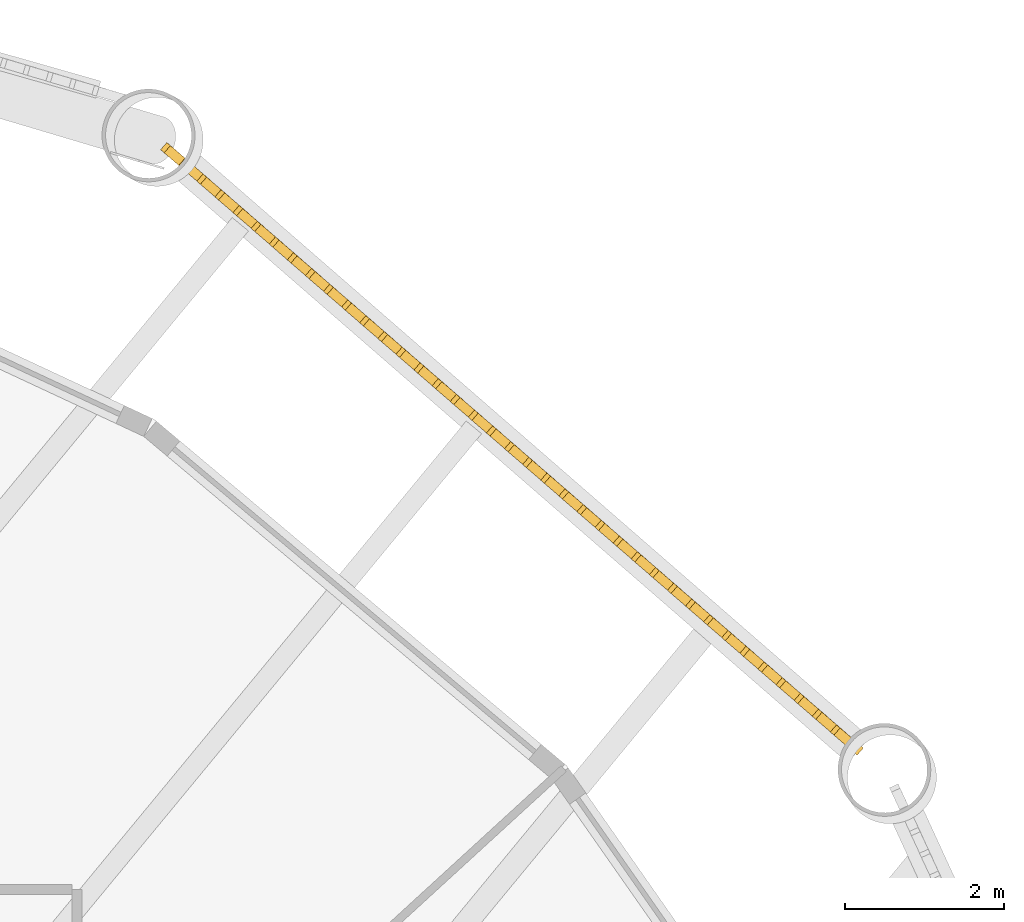
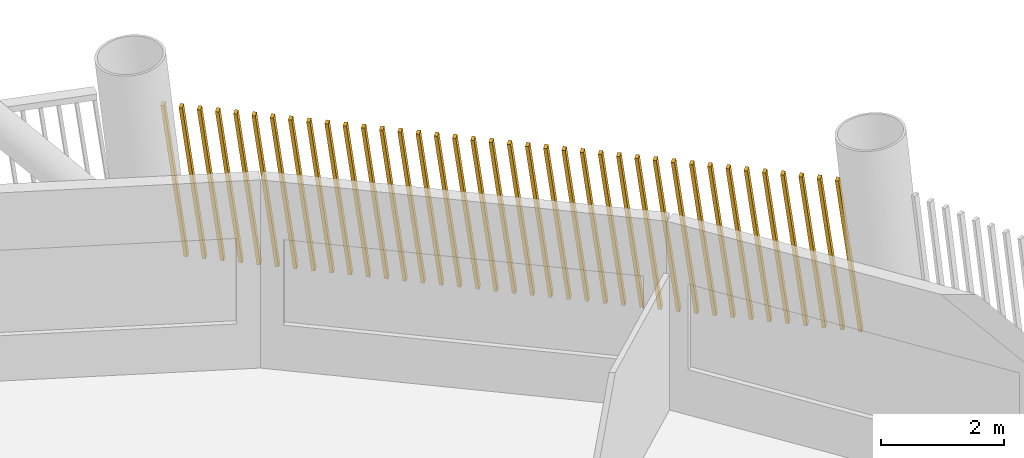
# One storey, part 21 of 22: 1 shading device.
"""IFC4 building model written with IfcOpenShell, lengths in metres."""

from ifc_helpers import new_model, si_unit, direction, frame, frame_2d, origin, place, context, subcontext, project, spatial, rectangle, composite_profile, extrude, material, type_object, element, save


model = new_model("IFC4")

# Units and contexts
model_context = context("Model", 3, precision=1e-05, world=origin(), true_north=direction((0.0, 1.0)))
body_context = subcontext(model_context, "Body", "Model", "MODEL_VIEW")
ifc_project = project(units=[si_unit("LENGTHUNIT", "METRE"), si_unit("AREAUNIT", "SQUARE_METRE"), si_unit("VOLUMEUNIT", "CUBIC_METRE"), si_unit("PLANEANGLEUNIT", "RADIAN"), si_unit("MASSUNIT", "GRAM", prefix="KILO")], contexts=[model_context])

# Site, building, storey
site_placement = place(None, origin())
site = spatial("IfcSite", under=ifc_project, at=site_placement, CompositionType="ELEMENT")
building_placement = place(site_placement, origin())
building = spatial("IfcBuilding", under=site, at=building_placement, Name="Tarsis Ring Headquarters", CompositionType="ELEMENT")
storey_placement = place(building_placement, frame((0.0, 0.0, 108.39990234375)))
storey = spatial("IfcBuildingStorey", under=building, at=storey_placement, Name="L24", CompositionType="ELEMENT", Elevation=108.39990234375)

# Shading device
ifc_material = material(Name="Terracotta baguette", Category="masonry")
shading_device_type = type_object("IfcShadingDeviceType", Name="Terracotta baguette screen", PredefinedType="USERDEFINED", material=ifc_material)
shading_device_placement = place(storey_placement, frame((22.8759765625, 17.738037109375, 0.0), z_axis=(0.0, 0.0, 1.0), x_axis=(-0.754639175258, 0.656147585458, 0.0)))
element("IfcShadingDevice", 1, at=shading_device_placement, inside=storey, type_object=shading_device_type, Name="Baguette screen L24-12", ObjectType="Terracotta baguette screen", PredefinedType="USERDEFINED", context=body_context, shape_type="SweptSolid", body=[
    extrude(composite_profile([rectangle(XDim=0.06005859375, YDim=0.1201171875, at=frame_2d((0.030029296875, 0.0))), rectangle(XDim=0.06005859375, YDim=0.1201171875, at=frame_2d((0.33251953125, 0.0))), rectangle(XDim=0.06005859375, YDim=0.1201171875, at=frame_2d((0.634765625, 0.0))), rectangle(XDim=0.06005859375, YDim=0.1201171875, at=frame_2d((0.937255859375, 0.0))), rectangle(XDim=0.06005859375, YDim=0.1201171875, at=frame_2d((1.239501953125, 0.0))), rectangle(XDim=0.06005859375, YDim=0.1201171875, at=frame_2d((1.5419921875, 0.0))), rectangle(XDim=0.06005859375, YDim=0.1201171875, at=frame_2d((1.844482421875, 0.0))), rectangle(XDim=0.06005859375, YDim=0.1201171875, at=frame_2d((2.146728515625, 0.0))), rectangle(XDim=0.06005859375, YDim=0.1201171875, at=frame_2d((2.44921875, 0.0))), rectangle(XDim=0.06005859375, YDim=0.1201171875, at=frame_2d((2.751708984375, 0.0))), rectangle(XDim=0.06005859375, YDim=0.1201171875, at=frame_2d((3.053955078125, 0.0))), rectangle(XDim=0.06005859375, YDim=0.1201171875, at=frame_2d((3.3564453125, 0.0))), rectangle(XDim=0.06005859375, YDim=0.1201171875, at=frame_2d((3.65869140625, 0.0))), rectangle(XDim=0.06005859375, YDim=0.1201171875, at=frame_2d((3.961181640625, 0.0))), rectangle(XDim=0.06005859375, YDim=0.1201171875, at=frame_2d((4.263671875, 0.0))), rectangle(XDim=0.06005859375, YDim=0.1201171875, at=frame_2d((4.56591796875, 0.0))), rectangle(XDim=0.06005859375, YDim=0.1201171875, at=frame_2d((4.868408203125, 0.0))), rectangle(XDim=0.06005859375, YDim=0.1201171875, at=frame_2d((5.1708984375, 0.0))), rectangle(XDim=0.06005859375, YDim=0.1201171875, at=frame_2d((5.47314453125, 0.0))), rectangle(XDim=0.06005859375, YDim=0.1201171875, at=frame_2d((5.775634765625, 0.0))), rectangle(XDim=0.06005859375, YDim=0.1201171875, at=frame_2d((6.077880859375, 0.0))), rectangle(XDim=0.06005859375, YDim=0.1201171875, at=frame_2d((6.38037109375, 0.0))), rectangle(XDim=0.06005859375, YDim=0.1201171875, at=frame_2d((6.682861328125, 0.0))), rectangle(XDim=0.06005859375, YDim=0.1201171875, at=frame_2d((6.985107421875, 0.0))), rectangle(XDim=0.06005859375, YDim=0.1201171875, at=frame_2d((7.28759765625, 0.0))), rectangle(XDim=0.06005859375, YDim=0.1201171875, at=frame_2d((7.590087890625, 0.0))), rectangle(XDim=0.06005859375, YDim=0.1201171875, at=frame_2d((7.892333984375, 0.0))), rectangle(XDim=0.06005859375, YDim=0.1201171875, at=frame_2d((8.19482421875, 0.0))), rectangle(XDim=0.06005859375, YDim=0.1201171875, at=frame_2d((8.4970703125, 0.0))), rectangle(XDim=0.06005859375, YDim=0.1201171875, at=frame_2d((8.799560546875, 0.0))), rectangle(XDim=0.06005859375, YDim=0.1201171875, at=frame_2d((9.10205078125, 0.0))), rectangle(XDim=0.06005859375, YDim=0.1201171875, at=frame_2d((9.404296875, 0.0))), rectangle(XDim=0.06005859375, YDim=0.1201171875, at=frame_2d((9.706787109375, 0.0))), rectangle(XDim=0.06005859375, YDim=0.1201171875, at=frame_2d((10.00927734375, 0.0))), rectangle(XDim=0.06005859375, YDim=0.1201171875, at=frame_2d((10.3115234375, 0.0))), rectangle(XDim=0.06005859375, YDim=0.1201171875, at=frame_2d((10.614013671875, 0.0))), rectangle(XDim=0.06005859375, YDim=0.1201171875, at=frame_2d((10.916259765625, 0.0))), rectangle(XDim=0.06005859375, YDim=0.1201171875, at=frame_2d((11.21875, 0.0)))]), origin(), (0.129810585382, 0.000884309244, 0.991538415756), 2.977783203125),
])

save(model, "model.ifc")
